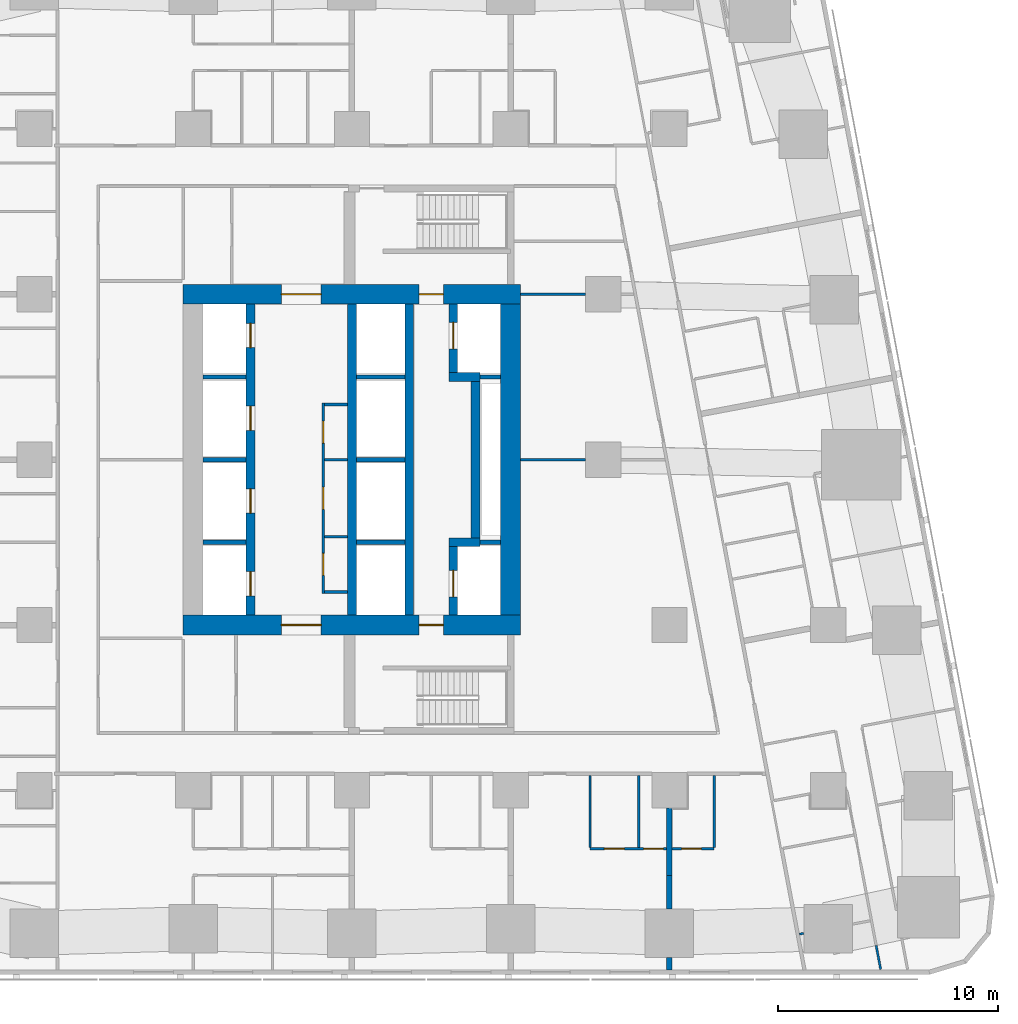
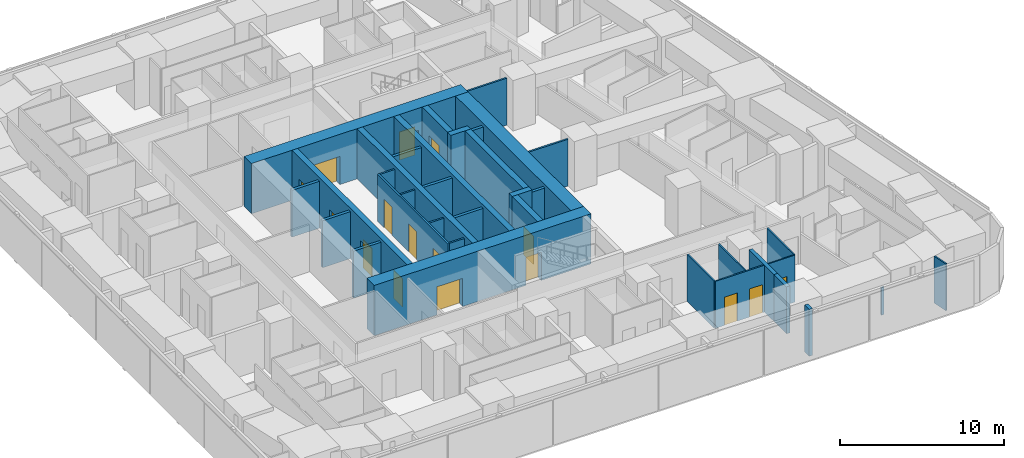
# One storey, part 5 of 14: 36 walls, 16 doors, 16 openings.
"""IFC4 building model written with IfcOpenShell, lengths in metres."""

from ifc_helpers import new_model, si_unit, direction, frame, frame_2d, origin, place, context, subcontext, project, spatial, rectangle, extrude, material, layer, layer_set, type_object, element, fill, save


model = new_model("IFC4")

# Units and contexts
model_context = context("Model", 3, precision=1e-05, world=origin(), true_north=direction((0.0, 1.0)))
body_context = subcontext(model_context, "Body", "Model", "MODEL_VIEW")
ifc_project = project(units=[si_unit("LENGTHUNIT", "METRE"), si_unit("AREAUNIT", "SQUARE_METRE"), si_unit("VOLUMEUNIT", "CUBIC_METRE"), si_unit("PLANEANGLEUNIT", "RADIAN"), si_unit("MASSUNIT", "GRAM", prefix="KILO")], contexts=[model_context])

# Site, building, storey
site_placement = place(None, origin())
site = spatial("IfcSite", under=ifc_project, at=site_placement, CompositionType="ELEMENT")
building_placement = place(site_placement, origin())
building = spatial("IfcBuilding", under=site, at=building_placement, Name="Sheger Commons Tower", CompositionType="ELEMENT")
storey_placement = place(building_placement, frame((0.0, 0.0, 122.89990234375)))
storey = spatial("IfcBuildingStorey", under=building, at=storey_placement, Name="L31", CompositionType="ELEMENT", Elevation=122.89990234375)

# Wall, openings, doors
ifc_material_1 = material(Name="Concrete C50/60", Category="concrete")
ifc_layer_1 = layer(ifc_material_1, 0.39990234375)
ifc_layer_set_1 = layer_set([ifc_layer_1], Name="CORE INNER WALL 400")
wall_type_1 = type_object("IfcWallType", Name="CORE INNER WALL 400", PredefinedType="SHEAR", material=ifc_layer_set_1)
wall_1_placement = place(storey_placement, frame((17.0, 15.449951171875, 0.0), z_axis=(0.0, 0.0, 1.0), x_axis=(0.0, 1.0, 0.0)))
wall_1 = element("IfcWall", 1, at=wall_1_placement, inside=storey, type_object=wall_type_1, Name="Core inner wall A L31", PredefinedType="SHEAR", context=body_context, shape_type="SweptSolid", body=[
    extrude(rectangle(XDim=14.10009765625, YDim=0.39990234375, at=frame_2d((7.050048828125, 0.0))), origin(), (0.0, 0.0, 1.0), 3.75),
])
opening_1_placement = place(wall_1_placement, frame((0.875, 0.0, 0.0)))
opening_1 = element("IfcOpeningElement", 2, at=opening_1_placement, cuts=wall_1, Name="Opening LD", PredefinedType="OPENING", context=body_context, shape_type="SweptSolid", body=[
    extrude(rectangle(XDim=1.10009765625, YDim=2.10009765625, at=frame_2d((0.550048828125, 1.050048828125))), frame((0.0, 0.2099609375, 0.0), z_axis=(0.0, -1.0, 0.0), x_axis=(1.0, 0.0, 0.0)), (0.0, 0.0, 1.0), 0.419921875),
])
opening_2_placement = place(wall_1_placement, frame((4.625, 0.0, 0.0)))
opening_2 = element("IfcOpeningElement", 3, at=opening_2_placement, cuts=wall_1, Name="Opening LD", PredefinedType="OPENING", context=body_context, shape_type="SweptSolid", body=[
    extrude(rectangle(XDim=1.10009765625, YDim=2.10009765625, at=frame_2d((0.550048828125, 1.050048828125))), frame((0.0, 0.2099609375, 0.0), z_axis=(0.0, -1.0, 0.0), x_axis=(1.0, 0.0, 0.0)), (0.0, 0.0, 1.0), 0.419921875),
])
opening_3_placement = place(wall_1_placement, frame((8.375, 0.0, 0.0)))
opening_3 = element("IfcOpeningElement", 4, at=opening_3_placement, cuts=wall_1, Name="Opening LD", PredefinedType="OPENING", context=body_context, shape_type="SweptSolid", body=[
    extrude(rectangle(XDim=1.10009765625, YDim=2.10009765625, at=frame_2d((0.550048828125, 1.050048828125))), frame((0.0, 0.2099609375, 0.0), z_axis=(0.0, -1.0, 0.0), x_axis=(1.0, 0.0, 0.0)), (0.0, 0.0, 1.0), 0.419921875),
])
opening_4_placement = place(wall_1_placement, frame((12.125, 0.0, 0.0)))
opening_4 = element("IfcOpeningElement", 5, at=opening_4_placement, cuts=wall_1, Name="Opening LD", PredefinedType="OPENING", context=body_context, shape_type="SweptSolid", body=[
    extrude(rectangle(XDim=1.10009765625, YDim=2.10009765625, at=frame_2d((0.550048828125, 1.050048828125))), frame((0.0, 0.2099609375, 0.0), z_axis=(0.0, -1.0, 0.0), x_axis=(1.0, 0.0, 0.0)), (0.0, 0.0, 1.0), 0.419921875),
])
ifc_material_2 = material(Name="Steel door set, fire rated", Category="steel")
door_type_1 = type_object("IfcDoorType", Name="LIFT LANDING DOOR 1100x2100", OperationType="DOUBLE_DOOR_SLIDING", PredefinedType="DOOR", material=ifc_material_2)
door_1_placement = place(opening_1_placement, origin())
door_1 = element("IfcDoor", 6, at=door_1_placement, inside=storey, type_object=door_type_1, Name="Lift LA1 landing door", OperationType="DOUBLE_DOOR_SLIDING", OverallHeight=2.10009765625, OverallWidth=1.10009765625, PredefinedType="DOOR", context=body_context, shape_type="SweptSolid", body=[
    extrude(rectangle(XDim=1.10009765625, YDim=2.10009765625, at=frame_2d((0.550048828125, 1.050048828125))), frame((0.0, 0.02490234375, 0.0), z_axis=(0.0, -1.0, 0.0), x_axis=(1.0, 0.0, 0.0)), (0.0, 0.0, 1.0), 0.050048828125),
])
fill(opening_1, door_1)
door_2_placement = place(opening_2_placement, origin())
door_2 = element("IfcDoor", 7, at=door_2_placement, inside=storey, type_object=door_type_1, Name="Lift LA2 landing door", OperationType="DOUBLE_DOOR_SLIDING", OverallHeight=2.10009765625, OverallWidth=1.10009765625, PredefinedType="DOOR", context=body_context, shape_type="SweptSolid", body=[
    extrude(rectangle(XDim=1.10009765625, YDim=2.10009765625, at=frame_2d((0.550048828125, 1.050048828125))), frame((0.0, 0.02490234375, 0.0), z_axis=(0.0, -1.0, 0.0), x_axis=(1.0, 0.0, 0.0)), (0.0, 0.0, 1.0), 0.050048828125),
])
fill(opening_2, door_2)
door_3_placement = place(opening_3_placement, origin())
door_3 = element("IfcDoor", 8, at=door_3_placement, inside=storey, type_object=door_type_1, Name="Lift LA3 landing door", OperationType="DOUBLE_DOOR_SLIDING", OverallHeight=2.10009765625, OverallWidth=1.10009765625, PredefinedType="DOOR", context=body_context, shape_type="SweptSolid", body=[
    extrude(rectangle(XDim=1.10009765625, YDim=2.10009765625, at=frame_2d((0.550048828125, 1.050048828125))), frame((0.0, 0.02490234375, 0.0), z_axis=(0.0, -1.0, 0.0), x_axis=(1.0, 0.0, 0.0)), (0.0, 0.0, 1.0), 0.050048828125),
])
fill(opening_3, door_3)
door_4_placement = place(opening_4_placement, origin())
door_4 = element("IfcDoor", 9, at=door_4_placement, inside=storey, type_object=door_type_1, Name="Lift LA4 landing door", OperationType="DOUBLE_DOOR_SLIDING", OverallHeight=2.10009765625, OverallWidth=1.10009765625, PredefinedType="DOOR", context=body_context, shape_type="SweptSolid", body=[
    extrude(rectangle(XDim=1.10009765625, YDim=2.10009765625, at=frame_2d((0.550048828125, 1.050048828125))), frame((0.0, 0.02490234375, 0.0), z_axis=(0.0, -1.0, 0.0), x_axis=(1.0, 0.0, 0.0)), (0.0, 0.0, 1.0), 0.050048828125),
])
fill(opening_4, door_4)

# Walls
for number, where, z_axis, x_axis, name in (
    (10, (21.60009765625, 15.449951171875, 0.0), (0.0, 0.0, 1.0), (0.0, 1.0, 0.0), "Core inner wall L L31"),
    (11, (24.199951171875, 15.449951171875, 0.0), (0.0, 0.0, 1.0), (0.0, 1.0, 0.0), "Core inner wall B L31"),
):
    element("IfcWall", number, at=place(storey_placement, frame(where, z_axis=z_axis, x_axis=x_axis)), inside=storey, type_object=wall_type_1, Name=name, PredefinedType="SHEAR", context=body_context, shape_type="SweptSolid", body=[
        extrude(rectangle(XDim=14.10009765625, YDim=0.39990234375, at=frame_2d((7.050048828125, 0.0))), origin(), (0.0, 0.0, 1.0), 3.75),
    ])

# Wall, opening, door
wall_2_placement = place(storey_placement, frame((26.199951171875, 15.449951171875, 0.0), z_axis=(0.0, 0.0, 1.0), x_axis=(0.0, 1.0, 0.0)))
wall_2 = element("IfcWall", 12, at=wall_2_placement, inside=storey, type_object=wall_type_1, Name="Core inner wall F L31", PredefinedType="SHEAR", context=body_context, shape_type="SweptSolid", body=[
    extrude(rectangle(XDim=3.10009765625, YDim=0.39990234375, at=frame_2d((1.550048828125, 0.0))), origin(), (0.0, 0.0, 1.0), 3.75),
])
opening_5_placement = place(wall_2_placement, frame((0.824951171875, 0.0, 0.0)))
opening_5 = element("IfcOpeningElement", 13, at=opening_5_placement, cuts=wall_2, Name="Opening LD2", PredefinedType="OPENING", context=body_context, shape_type="SweptSolid", body=[
    extrude(rectangle(XDim=1.199951171875, YDim=2.10009765625, at=frame_2d((0.60009765625, 1.050048828125))), frame((0.0, 0.2099609375, 0.0), z_axis=(0.0, -1.0, 0.0), x_axis=(1.0, 0.0, 0.0)), (0.0, 0.0, 1.0), 0.419921875),
])
ifc_material_3 = material(Name="Steel door set, fire rated", Category="steel")
door_type_2 = type_object("IfcDoorType", Name="FIREFIGHTING LIFT LANDING DOOR 1200x2100", OperationType="DOUBLE_DOOR_SLIDING", PredefinedType="DOOR", material=ifc_material_3)
door_5_placement = place(opening_5_placement, origin())
door_5 = element("IfcDoor", 14, at=door_5_placement, inside=storey, type_object=door_type_2, Name="Lift FL1 landing door", OperationType="DOUBLE_DOOR_SLIDING", OverallHeight=2.10009765625, OverallWidth=1.199951171875, PredefinedType="DOOR", context=body_context, shape_type="SweptSolid", body=[
    extrude(rectangle(XDim=1.199951171875, YDim=2.10009765625, at=frame_2d((0.60009765625, 1.050048828125))), frame((0.0, 0.02490234375, 0.0), z_axis=(0.0, -1.0, 0.0), x_axis=(1.0, 0.0, 0.0)), (0.0, 0.0, 1.0), 0.050048828125),
])
fill(opening_5, door_5)

# Walls
wall_3_placement = place(storey_placement, frame((26.0, 18.75, 0.0), z_axis=(0.0, 0.0, 1.0), x_axis=(1.0, 0.0, 0.0)))
element("IfcWall", 15, at=wall_3_placement, inside=storey, type_object=wall_type_1, Name="Core inner wall F south return L31", PredefinedType="SHEAR", context=body_context, shape_type="SweptSolid", body=[
    extrude(rectangle(XDim=1.39990234375, YDim=0.39990234375, at=frame_2d((0.699951171875, 0.0))), origin(), (0.0, 0.0, 1.0), 3.75),
])
wall_4_placement = place(storey_placement, frame((27.199951171875, 18.949951171875, 0.0), z_axis=(0.0, 0.0, 1.0), x_axis=(0.0, 1.0, 0.0)))
element("IfcWall", 16, at=wall_4_placement, inside=storey, type_object=wall_type_1, Name="Core inner wall F middle L31", PredefinedType="SHEAR", context=body_context, shape_type="SweptSolid", body=[
    extrude(rectangle(XDim=7.10009765625, YDim=0.39990234375, at=frame_2d((3.550048828125, 0.0))), origin(), (0.0, 0.0, 1.0), 3.75),
])
wall_5_placement = place(storey_placement, frame((26.0, 26.25, 0.0), z_axis=(0.0, 0.0, 1.0), x_axis=(1.0, 0.0, 0.0)))
element("IfcWall", 17, at=wall_5_placement, inside=storey, type_object=wall_type_1, Name="Core inner wall F north return L31", PredefinedType="SHEAR", context=body_context, shape_type="SweptSolid", body=[
    extrude(rectangle(XDim=1.39990234375, YDim=0.39990234375, at=frame_2d((0.699951171875, 0.0))), origin(), (0.0, 0.0, 1.0), 3.75),
])

# Wall, opening, door
wall_6_placement = place(storey_placement, frame((26.199951171875, 26.449951171875, 0.0), z_axis=(0.0, 0.0, 1.0), x_axis=(0.0, 1.0, 0.0)))
wall_6 = element("IfcWall", 18, at=wall_6_placement, inside=storey, type_object=wall_type_1, Name="Core inner wall F north L31", PredefinedType="SHEAR", context=body_context, shape_type="SweptSolid", body=[
    extrude(rectangle(XDim=3.10009765625, YDim=0.39990234375, at=frame_2d((1.550048828125, 0.0))), origin(), (0.0, 0.0, 1.0), 3.75),
])
opening_6_placement = place(wall_6_placement, frame((1.074951171875, 0.0, 0.0)))
opening_6 = element("IfcOpeningElement", 19, at=opening_6_placement, cuts=wall_6, Name="Opening LD2", PredefinedType="OPENING", context=body_context, shape_type="SweptSolid", body=[
    extrude(rectangle(XDim=1.199951171875, YDim=2.10009765625, at=frame_2d((0.60009765625, 1.050048828125))), frame((0.0, 0.2099609375, 0.0), z_axis=(0.0, -1.0, 0.0), x_axis=(1.0, 0.0, 0.0)), (0.0, 0.0, 1.0), 0.419921875),
])
door_6_placement = place(opening_6_placement, origin())
door_6 = element("IfcDoor", 20, at=door_6_placement, inside=storey, type_object=door_type_2, Name="Lift FL2 landing door", OperationType="DOUBLE_DOOR_SLIDING", OverallHeight=2.10009765625, OverallWidth=1.199951171875, PredefinedType="DOOR", context=body_context, shape_type="SweptSolid", body=[
    extrude(rectangle(XDim=1.199951171875, YDim=2.10009765625, at=frame_2d((0.60009765625, 1.050048828125))), frame((0.0, 0.02490234375, 0.0), z_axis=(0.0, -1.0, 0.0), x_axis=(1.0, 0.0, 0.0)), (0.0, 0.0, 1.0), 0.050048828125),
])
fill(opening_6, door_6)

# Wall, openings, doors
ifc_material_4 = material(Name="Concrete C50/60", Category="concrete")
ifc_layer_2 = layer(ifc_material_4, 0.89990234375)
ifc_layer_set_2 = layer_set([ifc_layer_2], Name="CORE WALL 900")
wall_type_2 = type_object("IfcWallType", Name="CORE WALL 900", PredefinedType="SHEAR", material=ifc_layer_set_2)
wall_7_placement = place(storey_placement, frame((13.949951171875, 15.0, 0.0), z_axis=(0.0, 0.0, 1.0), x_axis=(1.0, 0.0, 0.0)))
wall_7 = element("IfcWall", 21, at=wall_7_placement, inside=storey, type_object=wall_type_2, Name="Core wall south L31", PredefinedType="SHEAR", context=body_context, shape_type="SweptSolid", body=[
    extrude(rectangle(XDim=15.300048828125, YDim=0.89990234375, at=frame_2d((7.64990234375, 0.0))), origin(), (0.0, 0.0, 1.0), 3.75),
])
opening_7_placement = place(wall_7_placement, frame((4.449951171875, 0.0, 0.0)))
opening_7 = element("IfcOpeningElement", 22, at=opening_7_placement, cuts=wall_7, Name="Opening D6", PredefinedType="OPENING", context=body_context, shape_type="SweptSolid", body=[
    extrude(rectangle(XDim=1.800048828125, YDim=2.10009765625, at=frame_2d((0.89990234375, 1.050048828125))), frame((0.0, 0.4599609375, 0.0), z_axis=(0.0, -1.0, 0.0), x_axis=(1.0, 0.0, 0.0)), (0.0, 0.0, 1.0), 0.919921875),
])
opening_8_placement = place(wall_7_placement, frame((10.699951171875, 0.0, 0.0)))
opening_8 = element("IfcOpeningElement", 23, at=opening_8_placement, cuts=wall_7, Name="Opening D5", PredefinedType="OPENING", context=body_context, shape_type="SweptSolid", body=[
    extrude(rectangle(XDim=1.10009765625, YDim=2.10009765625, at=frame_2d((0.550048828125, 1.050048828125))), frame((0.0, 0.4599609375, 0.0), z_axis=(0.0, -1.0, 0.0), x_axis=(1.0, 0.0, 0.0)), (0.0, 0.0, 1.0), 0.919921875),
])
ifc_material_5 = material(Name="Steel door set, fire rated", Category="steel")
door_type_3 = type_object("IfcDoorType", Name="LOBBY DOUBLE DOOR 1800x2100", OperationType="DOUBLE_DOOR_SINGLE_SWING", PredefinedType="DOOR", material=ifc_material_5)
door_7_placement = place(opening_7_placement, origin())
door_7 = element("IfcDoor", 24, at=door_7_placement, inside=storey, type_object=door_type_3, Name="Lift lobby door", OperationType="DOUBLE_DOOR_SINGLE_SWING", OverallHeight=2.10009765625, OverallWidth=1.800048828125, PredefinedType="DOOR", context=body_context, shape_type="SweptSolid", body=[
    extrude(rectangle(XDim=1.800048828125, YDim=2.10009765625, at=frame_2d((0.89990234375, 1.050048828125))), frame((0.0, 0.02490234375, 0.0), z_axis=(0.0, -1.0, 0.0), x_axis=(1.0, 0.0, 0.0)), (0.0, 0.0, 1.0), 0.050048828125),
])
fill(opening_7, door_7)
ifc_material_6 = material(Name="Steel door set, fire rated", Category="steel")
door_type_4 = type_object("IfcDoorType", Name="STAIR DOOR 1100x2100", OperationType="NOTDEFINED", PredefinedType="DOOR", material=ifc_material_6)
door_8_placement = place(opening_8_placement, origin())
door_8 = element("IfcDoor", 25, at=door_8_placement, inside=storey, type_object=door_type_4, Name="Fire-fighting lobby door", OperationType="SINGLE_SWING_RIGHT", OverallHeight=2.10009765625, OverallWidth=1.10009765625, PredefinedType="DOOR", context=body_context, shape_type="SweptSolid", body=[
    extrude(rectangle(XDim=1.10009765625, YDim=2.10009765625, at=frame_2d((0.550048828125, 1.050048828125))), frame((0.0, 0.02490234375, 0.0), z_axis=(0.0, -1.0, 0.0), x_axis=(1.0, 0.0, 0.0)), (0.0, 0.0, 1.0), 0.050048828125),
])
fill(opening_8, door_8)

wall_8_placement = place(storey_placement, frame((13.949951171875, 30.0, 0.0), z_axis=(0.0, 0.0, 1.0), x_axis=(1.0, 0.0, 0.0)))
wall_8 = element("IfcWall", 26, at=wall_8_placement, inside=storey, type_object=wall_type_2, Name="Core wall north L31", PredefinedType="SHEAR", context=body_context, shape_type="SweptSolid", body=[
    extrude(rectangle(XDim=15.300048828125, YDim=0.89990234375, at=frame_2d((7.64990234375, 0.0))), origin(), (0.0, 0.0, 1.0), 3.75),
])
opening_9_placement = place(wall_8_placement, frame((4.449951171875, 0.0, 0.0)))
opening_9 = element("IfcOpeningElement", 27, at=opening_9_placement, cuts=wall_8, Name="Opening D6", PredefinedType="OPENING", context=body_context, shape_type="SweptSolid", body=[
    extrude(rectangle(XDim=1.800048828125, YDim=2.10009765625, at=frame_2d((0.89990234375, 1.050048828125))), frame((0.0, 0.4599609375, 0.0), z_axis=(0.0, -1.0, 0.0), x_axis=(1.0, 0.0, 0.0)), (0.0, 0.0, 1.0), 0.919921875),
])
opening_10_placement = place(wall_8_placement, frame((10.699951171875, 0.0, 0.0)))
opening_10 = element("IfcOpeningElement", 28, at=opening_10_placement, cuts=wall_8, Name="Opening D5", PredefinedType="OPENING", context=body_context, shape_type="SweptSolid", body=[
    extrude(rectangle(XDim=1.10009765625, YDim=2.10009765625, at=frame_2d((0.550048828125, 1.050048828125))), frame((0.0, 0.4599609375, 0.0), z_axis=(0.0, -1.0, 0.0), x_axis=(1.0, 0.0, 0.0)), (0.0, 0.0, 1.0), 0.919921875),
])
door_9_placement = place(opening_9_placement, origin())
door_9 = element("IfcDoor", 29, at=door_9_placement, inside=storey, type_object=door_type_3, Name="Lift lobby door", OperationType="DOUBLE_DOOR_SINGLE_SWING", OverallHeight=2.10009765625, OverallWidth=1.800048828125, PredefinedType="DOOR", context=body_context, shape_type="SweptSolid", body=[
    extrude(rectangle(XDim=1.800048828125, YDim=2.10009765625, at=frame_2d((0.89990234375, 1.050048828125))), frame((0.0, 0.02490234375, 0.0), z_axis=(0.0, -1.0, 0.0), x_axis=(1.0, 0.0, 0.0)), (0.0, 0.0, 1.0), 0.050048828125),
])
fill(opening_9, door_9)
door_10_placement = place(opening_10_placement, origin())
door_10 = element("IfcDoor", 30, at=door_10_placement, inside=storey, type_object=door_type_4, Name="Fire-fighting lobby door", OperationType="SINGLE_SWING_RIGHT", OverallHeight=2.10009765625, OverallWidth=1.10009765625, PredefinedType="DOOR", context=body_context, shape_type="SweptSolid", body=[
    extrude(rectangle(XDim=1.10009765625, YDim=2.10009765625, at=frame_2d((0.550048828125, 1.050048828125))), frame((0.0, 0.02490234375, 0.0), z_axis=(0.0, -1.0, 0.0), x_axis=(1.0, 0.0, 0.0)), (0.0, 0.0, 1.0), 0.050048828125),
])
fill(opening_10, door_10)

# Walls
wall_9_placement = place(storey_placement, frame((28.800048828125, 15.449951171875, 0.0), z_axis=(0.0, 0.0, 1.0), x_axis=(0.0, 1.0, 0.0)))
element("IfcWall", 31, at=wall_9_placement, inside=storey, type_object=wall_type_2, Name="Core wall east L31", PredefinedType="SHEAR", context=body_context, shape_type="SweptSolid", body=[
    extrude(rectangle(XDim=14.10009765625, YDim=0.89990234375, at=frame_2d((7.050048828125, 0.0))), origin(), (0.0, 0.0, 1.0), 3.75),
])
ifc_material_7 = material(Name="Dense concrete block masonry, plastered both sides (separating wall between flats)", Category="masonry")
ifc_layer_3 = layer(ifc_material_7, 0.25)
ifc_layer_set_3 = layer_set([ifc_layer_3], Name="DEMISING WALL 250")
wall_type_3 = type_object("IfcWallType", Name="DEMISING WALL 250", PredefinedType="SOLIDWALL", material=ifc_layer_set_3)
wall_10_placement = place(storey_placement, frame((36.0, -0.64990234375, 0.0), z_axis=(0.0, 0.0, 1.0), x_axis=(0.0, 1.0, 0.0)))
element("IfcWall", 32, at=wall_10_placement, inside=storey, type_object=wall_type_3, Name="Demising wall L31", PredefinedType="SOLIDWALL", context=body_context, shape_type="SweptSolid", body=[
    extrude(rectangle(XDim=0.573974609375, YDim=0.25, at=frame_2d((0.287109375, 0.0))), origin(), (0.0, 0.0, 1.0), 3.5),
])
wall_11_placement = place(storey_placement, frame((36.0, 2.1259765625, 0.0), z_axis=(0.0, 0.0, 1.0), x_axis=(0.0, 1.0, 0.0)))
element("IfcWall", 33, at=wall_11_placement, inside=storey, type_object=wall_type_3, Name="Demising wall L31", PredefinedType="SOLIDWALL", context=body_context, shape_type="SweptSolid", body=[
    extrude(rectangle(XDim=1.52392578125, YDim=0.25, at=frame_2d((0.761962890625, 0.0))), origin(), (0.0, 0.0, 1.0), 3.5),
])
wall_12_placement = place(storey_placement, frame((36.0, 3.64990234375, 0.0), z_axis=(0.0, 0.0, 1.0), x_axis=(0.0, 1.0, 0.0)))
element("IfcWall", 34, at=wall_12_placement, inside=storey, type_object=wall_type_3, Name="Demising wall L31", PredefinedType="SOLIDWALL", context=body_context, shape_type="SweptSolid", body=[
    extrude(rectangle(XDim=3.049072265625, YDim=0.25, at=frame_2d((1.5244140625, 0.0))), origin(), (0.0, 0.0, 1.0), 3.5),
])

# Wall, openings, doors
ifc_material_8 = material(Name="Gypsum board on steel studs", Category="steel")
ifc_layer_4 = layer(ifc_material_8, 0.10009765625)
ifc_layer_set_4 = layer_set([ifc_layer_4], Name="PARTITION 100")
wall_type_4 = type_object("IfcWallType", Name="PARTITION 100", PredefinedType="PARTITIONING", material=ifc_layer_set_4)
wall_13_placement = place(storey_placement, frame((35.875, 4.85009765625, 0.0), z_axis=(0.0, 0.0, 1.0), x_axis=(-1.0, 0.0, 0.0)))
wall_13 = element("IfcWall", 35, at=wall_13_placement, inside=storey, type_object=wall_type_4, Name="Partition L31", PredefinedType="PARTITIONING", context=body_context, shape_type="SweptSolid", body=[
    extrude(rectangle(XDim=3.47509765625, YDim=0.10009765625, at=frame_2d((1.737548828125, 0.0))), origin(), (0.0, 0.0, 1.0), 3.5),
])
opening_11_placement = place(wall_13_placement, frame((1.919921875, 0.0, 0.0)))
opening_11 = element("IfcOpeningElement", 36, at=opening_11_placement, cuts=wall_13, Name="Opening D2", PredefinedType="OPENING", context=body_context, shape_type="SweptSolid", body=[
    extrude(rectangle(XDim=0.89990234375, YDim=2.10009765625, at=frame_2d((0.449951171875, 1.050048828125))), frame((0.0, 0.06005859375, 0.0), z_axis=(0.0, -1.0, 0.0), x_axis=(1.0, 0.0, 0.0)), (0.0, 0.0, 1.0), 0.1201171875),
])
opening_12_placement = place(wall_13_placement, frame((0.14990234375, 0.0, 0.0)))
opening_12 = element("IfcOpeningElement", 37, at=opening_12_placement, cuts=wall_13, Name="Opening D2", PredefinedType="OPENING", context=body_context, shape_type="SweptSolid", body=[
    extrude(rectangle(XDim=0.89990234375, YDim=2.10009765625, at=frame_2d((0.449951171875, 1.050048828125))), frame((0.0, 0.06005859375, 0.0), z_axis=(0.0, -1.0, 0.0), x_axis=(1.0, 0.0, 0.0)), (0.0, 0.0, 1.0), 0.1201171875),
])
ifc_material_9 = material(Name="Timber door set", Category="wood")
door_type_5 = type_object("IfcDoorType", Name="INTERNAL DOOR 900x2100", OperationType="NOTDEFINED", PredefinedType="DOOR", material=ifc_material_9)
door_11_placement = place(opening_11_placement, origin())
door_11 = element("IfcDoor", 38, at=door_11_placement, inside=storey, type_object=door_type_5, Name="Bathroom door", OperationType="SINGLE_SWING_LEFT", OverallHeight=2.10009765625, OverallWidth=0.89990234375, PredefinedType="DOOR", context=body_context, shape_type="SweptSolid", body=[
    extrude(rectangle(XDim=0.89990234375, YDim=2.10009765625, at=frame_2d((0.449951171875, 1.050048828125))), frame((0.0, 0.02490234375, 0.0), z_axis=(0.0, -1.0, 0.0), x_axis=(1.0, 0.0, 0.0)), (0.0, 0.0, 1.0), 0.050048828125),
])
fill(opening_11, door_11)
door_12_placement = place(opening_12_placement, origin())
door_12 = element("IfcDoor", 39, at=door_12_placement, inside=storey, type_object=door_type_5, Name="Store door", OperationType="SINGLE_SWING_RIGHT", OverallHeight=2.10009765625, OverallWidth=0.89990234375, PredefinedType="DOOR", context=body_context, shape_type="SweptSolid", body=[
    extrude(rectangle(XDim=0.89990234375, YDim=2.10009765625, at=frame_2d((0.449951171875, 1.050048828125))), frame((0.0, 0.02490234375, 0.0), z_axis=(0.0, -1.0, 0.0), x_axis=(1.0, 0.0, 0.0)), (0.0, 0.0, 1.0), 0.050048828125),
])
fill(opening_12, door_12)

# Walls
for number, where, z_axis, x_axis, name in (
    (40, (32.39990234375, 4.89990234375, 0.0), (0.0, 0.0, 1.0), (0.0, 1.0, 0.0), "Partition L31"),
    (41, (34.610107421875, 4.89990234375, 0.0), (0.0, 0.0, 1.0), (0.0, 1.0, 0.0), "Partition L31"),
):
    element("IfcWall", number, at=place(storey_placement, frame(where, z_axis=z_axis, x_axis=x_axis)), inside=storey, type_object=wall_type_4, Name=name, PredefinedType="PARTITIONING", context=body_context, shape_type="SweptSolid", body=[
        extrude(rectangle(XDim=3.275146484375, YDim=0.10009765625, at=frame_2d((1.6376953125, 0.0))), origin(), (0.0, 0.0, 1.0), 3.5),
    ])

# Wall, opening, door
wall_14_placement = place(storey_placement, frame((38.029052734375, 4.85009765625, 0.0), z_axis=(0.0, 0.0, 1.0), x_axis=(-1.0, 0.0, 0.0)))
wall_14 = element("IfcWall", 42, at=wall_14_placement, inside=storey, type_object=wall_type_4, Name="Partition L31", PredefinedType="PARTITIONING", context=body_context, shape_type="SweptSolid", body=[
    extrude(rectangle(XDim=1.904052734375, YDim=0.10009765625, at=frame_2d((0.9521484375, 0.0))), origin(), (0.0, 0.0, 1.0), 3.5),
])
opening_13_placement = place(wall_14_placement, frame((0.5791015625, 0.0, 0.0)))
opening_13 = element("IfcOpeningElement", 43, at=opening_13_placement, cuts=wall_14, Name="Opening D2", PredefinedType="OPENING", context=body_context, shape_type="SweptSolid", body=[
    extrude(rectangle(XDim=0.89990234375, YDim=2.10009765625, at=frame_2d((0.449951171875, 1.050048828125))), frame((0.0, 0.06005859375, 0.0), z_axis=(0.0, -1.0, 0.0), x_axis=(1.0, 0.0, 0.0)), (0.0, 0.0, 1.0), 0.1201171875),
])
door_13_placement = place(opening_13_placement, origin())
door_13 = element("IfcDoor", 44, at=door_13_placement, inside=storey, type_object=door_type_5, Name="Shower room door", OperationType="SINGLE_SWING_LEFT", OverallHeight=2.10009765625, OverallWidth=0.89990234375, PredefinedType="DOOR", context=body_context, shape_type="SweptSolid", body=[
    extrude(rectangle(XDim=0.89990234375, YDim=2.10009765625, at=frame_2d((0.449951171875, 1.050048828125))), frame((0.0, 0.02490234375, 0.0), z_axis=(0.0, -1.0, 0.0), x_axis=(1.0, 0.0, 0.0)), (0.0, 0.0, 1.0), 0.050048828125),
])
fill(opening_13, door_13)

# Walls
wall_15_placement = place(storey_placement, frame((38.029052734375, 4.89990234375, 0.0), z_axis=(0.0, 0.0, 1.0), x_axis=(0.0, 1.0, 0.0)))
element("IfcWall", 45, at=wall_15_placement, inside=storey, type_object=wall_type_4, Name="Partition L31", PredefinedType="PARTITIONING", context=body_context, shape_type="SweptSolid", body=[
    extrude(rectangle(XDim=3.275146484375, YDim=0.10009765625, at=frame_2d((1.6376953125, 0.0))), origin(), (0.0, 0.0, 1.0), 3.5),
])
wall_16_placement = place(storey_placement, frame((45.376953125, 0.4619140625, 0.0), z_axis=(0.0, 0.0, 1.0), x_axis=(0.185513480919, -0.982641719243, 0.0)))
element("IfcWall", 46, at=wall_16_placement, inside=storey, type_object=wall_type_4, Name="Partition L31", PredefinedType="PARTITIONING", context=body_context, shape_type="SweptSolid", body=[
    extrude(rectangle(XDim=1.094970703125, YDim=0.10009765625, at=frame_2d((0.54736328125, 0.0))), origin(), (0.0, 0.0, 1.0), 3.5),
])
wall_17_placement = place(storey_placement, frame((42.090087890625, 1.01611328125, 0.0), z_axis=(0.0, 0.0, 1.0), x_axis=(-0.982208563973, -0.187793335502, 0.0)))
element("IfcWall", 47, at=wall_17_placement, inside=storey, type_object=wall_type_4, Name="Partition L31", PredefinedType="PARTITIONING", context=body_context, shape_type="SweptSolid", body=[
    extrude(rectangle(XDim=0.197509765625, YDim=0.10009765625, at=frame_2d((0.0986328125, 0.0))), origin(), (0.0, 0.0, 1.0), 2.050048828125),
])
ifc_material_10 = material(Name="Gypsum board on steel studs, two layers each side, fire rated", Category="steel")
ifc_layer_5 = layer(ifc_material_10, 0.125)
ifc_layer_set_5 = layer_set([ifc_layer_5], Name="SERVICE WALL 125")
wall_type_5 = type_object("IfcWallType", Name="SERVICE WALL 125", PredefinedType="PARTITIONING", material=ifc_layer_set_5)
for number, where, z_axis, x_axis, name in (
    (48, (29.25, 22.5, 0.0), (0.0, 0.0, 1.0), (1.0, 0.0, 0.0), "Service room wall L31"),
    (49, (29.25, 30.0, 0.0), (0.0, 0.0, 1.0), (1.0, 0.0, 0.0), "Service room wall L31"),
):
    element("IfcWall", number, at=place(storey_placement, frame(where, z_axis=z_axis, x_axis=x_axis)), inside=storey, type_object=wall_type_5, Name=name, PredefinedType="PARTITIONING", context=body_context, shape_type="SweptSolid", body=[
        extrude(rectangle(XDim=2.948974609375, YDim=0.125, at=frame_2d((1.474609375, 0.0))), origin(), (0.0, 0.0, 1.0), 3.5),
    ])

# Wall, openings, doors
wall_18_placement = place(storey_placement, frame((20.300048828125, 16.43798828125, 0.0), z_axis=(0.0, 0.0, 1.0), x_axis=(0.0, 1.0, 0.0)))
wall_18 = element("IfcWall", 50, at=wall_18_placement, inside=storey, type_object=wall_type_5, Name="Service room wall L31", PredefinedType="PARTITIONING", context=body_context, shape_type="SweptSolid", body=[
    extrude(rectangle(XDim=8.6240234375, YDim=0.125, at=frame_2d((4.31201171875, 0.0))), origin(), (0.0, 0.0, 1.0), 3.5),
])
opening_14_placement = place(wall_18_placement, frame((0.81201171875, 0.0, 0.0)))
opening_14 = element("IfcOpeningElement", 51, at=opening_14_placement, cuts=wall_18, Name="Opening D4", PredefinedType="OPENING", context=body_context, shape_type="SweptSolid", body=[
    extrude(rectangle(XDim=1.0, YDim=2.10009765625, at=frame_2d((0.5, 1.050048828125))), frame((0.0, 0.072509765625, 0.0), z_axis=(0.0, -1.0, 0.0), x_axis=(1.0, 0.0, 0.0)), (0.0, 0.0, 1.0), 0.14501953125),
])
opening_15_placement = place(wall_18_placement, frame((3.81201171875, 0.0, 0.0)))
opening_15 = element("IfcOpeningElement", 52, at=opening_15_placement, cuts=wall_18, Name="Opening D4", PredefinedType="OPENING", context=body_context, shape_type="SweptSolid", body=[
    extrude(rectangle(XDim=1.0, YDim=2.10009765625, at=frame_2d((0.5, 1.050048828125))), frame((0.0, 0.072509765625, 0.0), z_axis=(0.0, -1.0, 0.0), x_axis=(1.0, 0.0, 0.0)), (0.0, 0.0, 1.0), 0.14501953125),
])
opening_16_placement = place(wall_18_placement, frame((6.81201171875, 0.0, 0.0)))
opening_16 = element("IfcOpeningElement", 53, at=opening_16_placement, cuts=wall_18, Name="Opening D4", PredefinedType="OPENING", context=body_context, shape_type="SweptSolid", body=[
    extrude(rectangle(XDim=1.0, YDim=2.10009765625, at=frame_2d((0.5, 1.050048828125))), frame((0.0, 0.072509765625, 0.0), z_axis=(0.0, -1.0, 0.0), x_axis=(1.0, 0.0, 0.0)), (0.0, 0.0, 1.0), 0.14501953125),
])
ifc_material_11 = material(Name="Steel door set, fire rated", Category="steel")
door_type_6 = type_object("IfcDoorType", Name="SERVICE DOOR 1000x2100", OperationType="NOTDEFINED", PredefinedType="DOOR", material=ifc_material_11)
door_14_placement = place(opening_14_placement, origin())
door_14 = element("IfcDoor", 54, at=door_14_placement, inside=storey, type_object=door_type_6, Name="Cleaner's cupboard door", OperationType="SINGLE_SWING_RIGHT", OverallHeight=2.10009765625, OverallWidth=1.0, PredefinedType="DOOR", context=body_context, shape_type="SweptSolid", body=[
    extrude(rectangle(XDim=1.0, YDim=2.10009765625, at=frame_2d((0.5, 1.050048828125))), frame((0.0, 0.02490234375, 0.0), z_axis=(0.0, -1.0, 0.0), x_axis=(1.0, 0.0, 0.0)), (0.0, 0.0, 1.0), 0.050048828125),
])
fill(opening_14, door_14)
door_15_placement = place(opening_15_placement, origin())
door_15 = element("IfcDoor", 55, at=door_15_placement, inside=storey, type_object=door_type_6, Name="Communications cupboard door", OperationType="SINGLE_SWING_LEFT", OverallHeight=2.10009765625, OverallWidth=1.0, PredefinedType="DOOR", context=body_context, shape_type="SweptSolid", body=[
    extrude(rectangle(XDim=1.0, YDim=2.10009765625, at=frame_2d((0.5, 1.050048828125))), frame((0.0, 0.02490234375, 0.0), z_axis=(0.0, -1.0, 0.0), x_axis=(1.0, 0.0, 0.0)), (0.0, 0.0, 1.0), 0.050048828125),
])
fill(opening_15, door_15)
door_16_placement = place(opening_16_placement, origin())
door_16 = element("IfcDoor", 56, at=door_16_placement, inside=storey, type_object=door_type_6, Name="Electrical cupboard door", OperationType="SINGLE_SWING_LEFT", OverallHeight=2.10009765625, OverallWidth=1.0, PredefinedType="DOOR", context=body_context, shape_type="SweptSolid", body=[
    extrude(rectangle(XDim=1.0, YDim=2.10009765625, at=frame_2d((0.5, 1.050048828125))), frame((0.0, 0.02490234375, 0.0), z_axis=(0.0, -1.0, 0.0), x_axis=(1.0, 0.0, 0.0)), (0.0, 0.0, 1.0), 0.050048828125),
])
fill(opening_16, door_16)

# Walls
for number, where, z_axis, x_axis, name in (
    (57, (20.363037109375, 16.5, 0.0), (0.0, 0.0, 1.0), (1.0, 0.0, 0.0), "Service room wall L31"),
    (58, (20.363037109375, 25.0, 0.0), (0.0, 0.0, 1.0), (1.0, 0.0, 0.0), "Service room wall L31"),
    (59, (20.363037109375, 19.0, 0.0), (0.0, 0.0, 1.0), (1.0, 0.0, 0.0), "Service room wall L31"),
    (60, (20.363037109375, 22.5, 0.0), (0.0, 0.0, 1.0), (1.0, 0.0, 0.0), "Service room wall L31"),
):
    element("IfcWall", number, at=place(storey_placement, frame(where, z_axis=z_axis, x_axis=x_axis)), inside=storey, type_object=wall_type_5, Name=name, PredefinedType="PARTITIONING", context=body_context, shape_type="SweptSolid", body=[
        extrude(rectangle(XDim=1.036865234375, YDim=0.125, at=frame_2d((0.5185546875, 0.0))), origin(), (0.0, 0.0, 1.0), 3.5),
    ])
ifc_material_12 = material(Name="Hollow concrete block masonry", Category="masonry")
ifc_layer_6 = layer(ifc_material_12, 0.199951171875)
ifc_layer_set_6 = layer_set([ifc_layer_6], Name="SHAFT WALL 200")
wall_type_6 = type_object("IfcWallType", Name="SHAFT WALL 200", PredefinedType="SOLIDWALL", material=ifc_layer_set_6)
wall_19_placement = place(storey_placement, frame((14.85009765625, 18.75, 0.0), z_axis=(0.0, 0.0, 1.0), x_axis=(1.0, 0.0, 0.0)))
element("IfcWall", 61, at=wall_19_placement, inside=storey, type_object=wall_type_6, Name="Lift shaft wall L31", PredefinedType="SOLIDWALL", context=body_context, shape_type="SweptSolid", body=[
    extrude(rectangle(XDim=1.949951171875, YDim=0.199951171875, at=frame_2d((0.97509765625, 0.0))), origin(), (0.0, 0.0, 1.0), 3.5),
])
wall_20_placement = place(storey_placement, frame((21.800048828125, 18.75, 0.0), z_axis=(0.0, 0.0, 1.0), x_axis=(1.0, 0.0, 0.0)))
element("IfcWall", 62, at=wall_20_placement, inside=storey, type_object=wall_type_6, Name="Lift shaft wall L31", PredefinedType="SOLIDWALL", context=body_context, shape_type="SweptSolid", body=[
    extrude(rectangle(XDim=2.199951171875, YDim=0.199951171875, at=frame_2d((1.10009765625, 0.0))), origin(), (0.0, 0.0, 1.0), 3.5),
])
wall_21_placement = place(storey_placement, frame((14.85009765625, 22.5, 0.0), z_axis=(0.0, 0.0, 1.0), x_axis=(1.0, 0.0, 0.0)))
element("IfcWall", 63, at=wall_21_placement, inside=storey, type_object=wall_type_6, Name="Lift shaft wall L31", PredefinedType="SOLIDWALL", context=body_context, shape_type="SweptSolid", body=[
    extrude(rectangle(XDim=1.949951171875, YDim=0.199951171875, at=frame_2d((0.97509765625, 0.0))), origin(), (0.0, 0.0, 1.0), 3.5),
])
wall_22_placement = place(storey_placement, frame((21.800048828125, 22.5, 0.0), z_axis=(0.0, 0.0, 1.0), x_axis=(1.0, 0.0, 0.0)))
element("IfcWall", 64, at=wall_22_placement, inside=storey, type_object=wall_type_6, Name="Lift shaft wall L31", PredefinedType="SOLIDWALL", context=body_context, shape_type="SweptSolid", body=[
    extrude(rectangle(XDim=2.199951171875, YDim=0.199951171875, at=frame_2d((1.10009765625, 0.0))), origin(), (0.0, 0.0, 1.0), 3.5),
])
wall_23_placement = place(storey_placement, frame((14.85009765625, 26.25, 0.0), z_axis=(0.0, 0.0, 1.0), x_axis=(1.0, 0.0, 0.0)))
element("IfcWall", 65, at=wall_23_placement, inside=storey, type_object=wall_type_6, Name="Lift shaft wall L31", PredefinedType="SOLIDWALL", context=body_context, shape_type="SweptSolid", body=[
    extrude(rectangle(XDim=1.949951171875, YDim=0.199951171875, at=frame_2d((0.97509765625, 0.0))), origin(), (0.0, 0.0, 1.0), 3.5),
])
wall_24_placement = place(storey_placement, frame((21.800048828125, 26.25, 0.0), z_axis=(0.0, 0.0, 1.0), x_axis=(1.0, 0.0, 0.0)))
element("IfcWall", 66, at=wall_24_placement, inside=storey, type_object=wall_type_6, Name="Lift shaft wall L31", PredefinedType="SOLIDWALL", context=body_context, shape_type="SweptSolid", body=[
    extrude(rectangle(XDim=2.199951171875, YDim=0.199951171875, at=frame_2d((1.10009765625, 0.0))), origin(), (0.0, 0.0, 1.0), 3.5),
])
for number, where, z_axis, x_axis, name in (
    (67, (27.39990234375, 18.75, 0.0), (0.0, 0.0, 1.0), (1.0, 0.0, 0.0), "Lift shaft wall L31"),
    (68, (27.39990234375, 26.25, 0.0), (0.0, 0.0, 1.0), (1.0, 0.0, 0.0), "Lift shaft wall L31"),
):
    element("IfcWall", number, at=place(storey_placement, frame(where, z_axis=z_axis, x_axis=x_axis)), inside=storey, type_object=wall_type_6, Name=name, PredefinedType="SOLIDWALL", context=body_context, shape_type="SweptSolid", body=[
        extrude(rectangle(XDim=0.9501953125, YDim=0.199951171875, at=frame_2d((0.47509765625, 0.0))), origin(), (0.0, 0.0, 1.0), 3.5),
    ])

save(model, "model.ifc")
